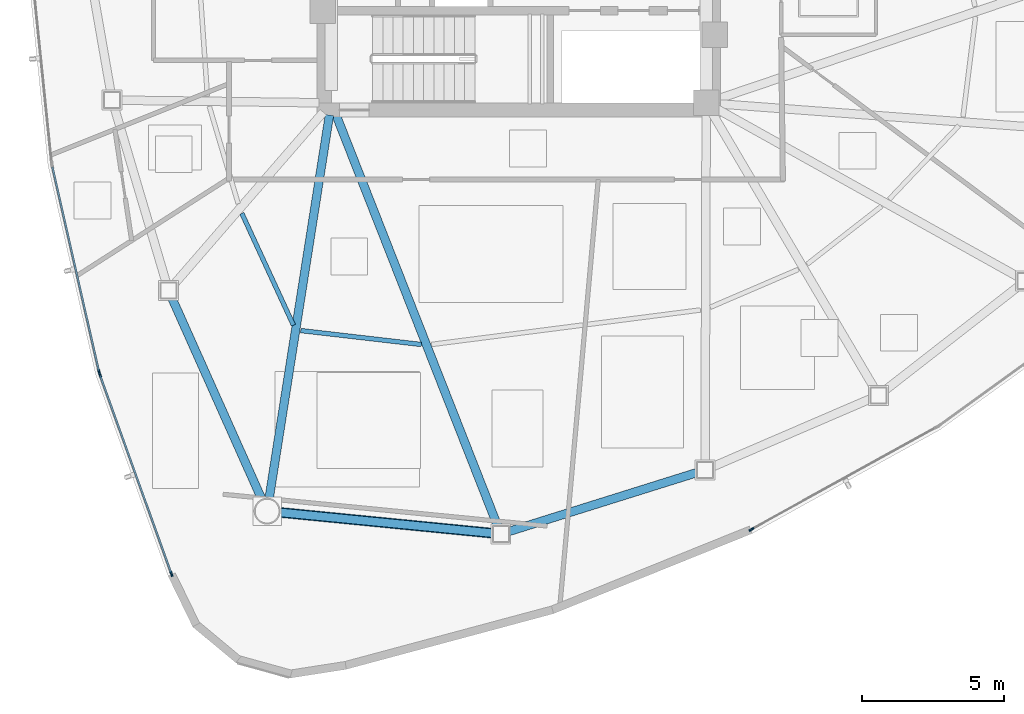
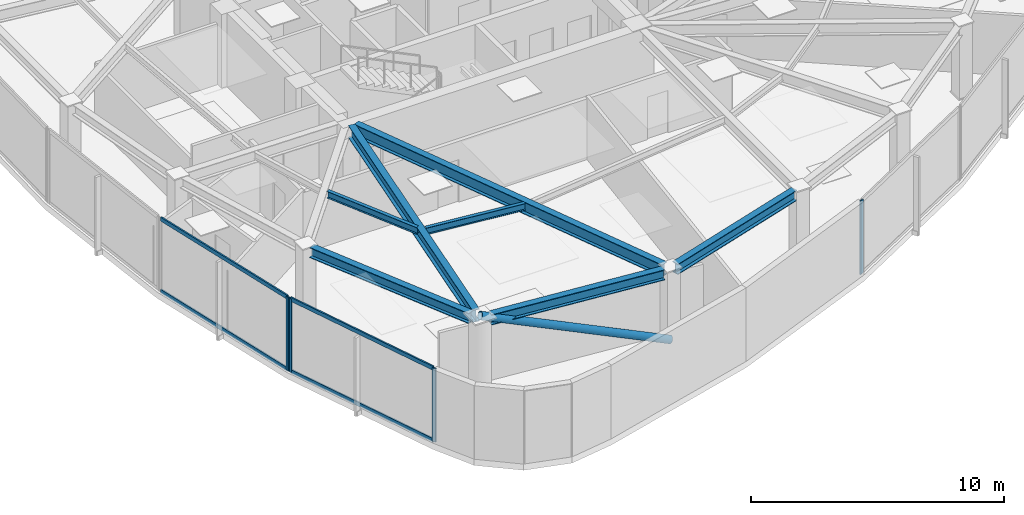
# One storey, part 2 of 17: 9 members, 7 beams, 3 elements without a shape of their own.
"""IFC4 building model written with IfcOpenShell, lengths in metres."""

from ifc_helpers import new_model, si_unit, direction, frame, origin, origin_2d, place, context, subcontext, project, spatial, hollow_rectangle, hollow_circle, i_section, extrude, source, transform, mapped, material, layer, layer_set, material_profile, profile_set, type_object, type_shapes, element, aggregate, save


model = new_model("IFC4")

# Units and contexts
model_context = context("Model", 3, precision=1e-05, world=origin(), true_north=direction((0.0, 1.0)))
body_context = subcontext(model_context, "Body", "Model", "MODEL_VIEW")
ifc_project = project(units=[si_unit("LENGTHUNIT", "METRE"), si_unit("AREAUNIT", "SQUARE_METRE"), si_unit("VOLUMEUNIT", "CUBIC_METRE"), si_unit("PLANEANGLEUNIT", "RADIAN"), si_unit("MASSUNIT", "GRAM", prefix="KILO")], contexts=[model_context])

# Site, building, storey
site_placement = place(None, origin())
site = spatial("IfcSite", under=ifc_project, at=site_placement, CompositionType="ELEMENT")
building_placement = place(site_placement, origin())
building = spatial("IfcBuilding", under=site, at=building_placement, Name="Tavelor Broadcast Tower", CompositionType="ELEMENT")
storey_placement = place(building_placement, frame((0.0, 0.0, 169.5)))
storey = spatial("IfcBuildingStorey", under=building, at=storey_placement, Name="L40", CompositionType="ELEMENT", Elevation=169.5)

# Beams
ifc_material_1 = material(Name="Steel S355", Category="steel")
ifc_material_profile_1 = material_profile(ifc_material_1, i_section(OverallWidth=0.159912109375, OverallDepth=0.330078125, WebThickness=0.007568359375, FlangeThickness=0.011474609375, at=origin_2d()), Name="IPE 330")
ifc_profile_set_1 = profile_set([ifc_material_profile_1], Name="Steel S355")
beam_type_1 = type_object("IfcBeamType", Name="Composite Floor Joist T4 IPE 330", PredefinedType="JOIST", material=ifc_profile_set_1)
beam_1_placement = place(storey_placement, frame((40.2470703125, 34.91259765625, 3.385009765625), z_axis=(0.418865688231, -0.908048200936, 0.0), x_axis=(0.908048200936, 0.418865688231, 0.0)))
element("IfcBeam", 1, at=beam_1_placement, inside=storey, type_object=beam_type_1, Name="L40 Secondary Composite Floor Joist 06", PredefinedType="JOIST", context=body_context, shape_type="SweptSolid", body=[
    extrude(i_section(OverallWidth=0.159912109375, OverallDepth=0.330078125, WebThickness=0.007568359375, FlangeThickness=0.011474609375, at=origin_2d()), origin(), (0.0, 0.0, 1.0), 4.343505859375),
])
beam_2_placement = place(storey_placement, frame((42.322021484375, 30.783447265625, 3.385009765625), z_axis=(0.99339343168, -0.114758397927, 0.0), x_axis=(0.114758397927, 0.99339343168, 0.0)))
element("IfcBeam", 2, at=beam_2_placement, inside=storey, type_object=beam_type_1, Name="L40 Secondary Composite Floor Joist 07", PredefinedType="JOIST", context=body_context, shape_type="SweptSolid", body=[
    extrude(i_section(OverallWidth=0.159912109375, OverallDepth=0.330078125, WebThickness=0.007568359375, FlangeThickness=0.011474609375, at=origin_2d()), origin(), (0.0, 0.0, 1.0), 4.2783203125),
])
ifc_material_profile_2 = material_profile(ifc_material_1, i_section(OverallWidth=0.300048828125, OverallDepth=0.5, WebThickness=0.014404296875, FlangeThickness=0.028076171875, at=origin_2d()), Name="HEB 500")
ifc_profile_set_2 = profile_set([ifc_material_profile_2], Name="Steel S355")
beam_type_2 = type_object("IfcBeamType", Name="Perimeter Spandrel Beam T4 HEB 500", PredefinedType="SPANDREL", material=ifc_profile_set_2)
beam_3_placement = place(storey_placement, frame((37.78564453125, 31.927490234375, 3.300048828125), z_axis=(0.407969002466, -0.912995779304, 0.0), x_axis=(0.912995779304, 0.407969002466, 0.0)))
element("IfcBeam", 3, at=beam_3_placement, inside=storey, type_object=beam_type_2, Name="L40 Framed-Tube Ring Spandrel 06", PredefinedType="SPANDREL", context=body_context, shape_type="SweptSolid", body=[
    extrude(i_section(OverallWidth=0.300048828125, OverallDepth=0.5, WebThickness=0.014404296875, FlangeThickness=0.028076171875, at=origin_2d()), origin(), (0.0, 0.0, 1.0), 7.7802734375),
])
beam_4_placement = place(storey_placement, frame((41.5751953125, 24.381103515625, 3.300048828125), z_axis=(0.995249339376, -0.097358884918, 0.0), x_axis=(0.097358884918, 0.995249339376, 0.0)))
element("IfcBeam", 4, at=beam_4_placement, inside=storey, type_object=beam_type_2, Name="L40 Framed-Tube Ring Spandrel 07", PredefinedType="SPANDREL", context=body_context, shape_type="SweptSolid", body=[
    extrude(i_section(OverallWidth=0.300048828125, OverallDepth=0.5, WebThickness=0.014404296875, FlangeThickness=0.028076171875, at=origin_2d()), origin(), (0.0, 0.0, 1.0), 7.54052734375),
])
beam_5_placement = place(storey_placement, frame((49.641357421875, 23.705078125, 3.300048828125), z_axis=(0.954273247332, 0.298935727918, 0.0), x_axis=(-0.298935727918, 0.954273247332, 0.0)))
element("IfcBeam", 5, at=beam_5_placement, inside=storey, type_object=beam_type_2, Name="L40 Framed-Tube Ring Spandrel 08", PredefinedType="SPANDREL", context=body_context, shape_type="SweptSolid", body=[
    extrude(i_section(OverallWidth=0.300048828125, OverallDepth=0.5, WebThickness=0.014404296875, FlangeThickness=0.028076171875, at=origin_2d()), origin(), (0.0, 0.0, 1.0), 6.963134765625),
])

# Member
ifc_material_profile_3 = material_profile(ifc_material_1, hollow_circle(Radius=0.177734375, WallThickness=0.01611328125, at=origin_2d()), Name="CHS 355.6x16")
ifc_profile_set_3 = profile_set([ifc_material_profile_3], Name="Steel S355")
member_type_1 = type_object("IfcMemberType", Name="Perimeter Tube Brace T4 CHS 355.6x16", PredefinedType="BRACE", material=ifc_profile_set_3)
member_1_placement = place(storey_placement, frame((49.366455078125, 23.618896484375, 0.0), z_axis=(-0.914496364203, 0.089466025126, 0.394578547577), x_axis=(-0.097366094377, -0.995248634094, 0.0)))
element("IfcMember", 6, at=member_1_placement, inside=storey, type_object=member_type_1, Name="L40 Corner Tube Diagonal Brace 2", PredefinedType="BRACE", context=body_context, shape_type="SweptSolid", body=[
    extrude(hollow_circle(Radius=0.177734375, WallThickness=0.01611328125, at=origin_2d()), origin(), (0.0, 0.0, 1.0), 8.9970703125),
])

# Beams
ifc_material_profile_4 = material_profile(ifc_material_1, i_section(OverallWidth=0.300048828125, OverallDepth=0.590087890625, WebThickness=0.012939453125, FlangeThickness=0.02490234375, at=origin_2d()), Name="HEA 600")
ifc_profile_set_4 = profile_set([ifc_material_profile_4], Name="Steel S355")
beam_type_3 = type_object("IfcBeamType", Name="Radial Floor Girder T4 HEA 600", PredefinedType="BEAM", material=ifc_profile_set_4)
beam_6_placement = place(storey_placement, frame((43.3330078125, 38.373291015625, 3.2548828125), z_axis=(-0.15539903111, -0.987851780952, 0.0), x_axis=(0.987851780952, -0.15539903111, 0.0)))
element("IfcBeam", 7, at=beam_6_placement, inside=storey, type_object=beam_type_3, Name="L40 Radial Primary Floor Girder 07", PredefinedType="BEAM", context=body_context, shape_type="SweptSolid", body=[
    extrude(i_section(OverallWidth=0.300048828125, OverallDepth=0.590087890625, WebThickness=0.012939453125, FlangeThickness=0.02490234375, at=origin_2d()), origin(), (0.0, 0.0, 1.0), 13.682373046875),
])
beam_7_placement = place(storey_placement, frame((43.55810546875, 38.39794921875, 3.2548828125), z_axis=(0.365784627572, -0.930699525213, 0.0), x_axis=(0.930699525213, 0.365784627572, 0.0)))
element("IfcBeam", 8, at=beam_7_placement, inside=storey, type_object=beam_type_3, Name="L40 Radial Primary Floor Girder 08", PredefinedType="BEAM", context=body_context, shape_type="SweptSolid", body=[
    extrude(i_section(OverallWidth=0.300048828125, OverallDepth=0.590087890625, WebThickness=0.012939453125, FlangeThickness=0.02490234375, at=origin_2d()), origin(), (0.0, 0.0, 1.0), 15.591552734375),
])

# Curtain wall, member
ifc_material_2 = material(Name="Architectural Anodized Aluminium", Category="aluminium")
ifc_layer = layer(ifc_material_2, 0.18994140625)
ifc_layer_set = layer_set([ifc_layer], Name="Architectural Anodized Aluminium")
curtain_wall_type = type_object("IfcCurtainWallType", Name="Tower Mid-Zone Acoustic Curtain Wall CW03", PredefinedType="NOTDEFINED", material=ifc_layer_set)
curtain_wall_1_placement = place(storey_placement, origin())
curtain_wall_1 = element("IfcCurtainWall", 9, at=curtain_wall_1_placement, inside=storey, type_object=curtain_wall_type, Name="L40 Curtain Wall CW03 Run 423", PredefinedType="NOTDEFINED")
ifc_material_profile_5 = material_profile(ifc_material_2, hollow_rectangle(XDim=0.068115234375, YDim=0.18994140625, WallThickness=0.02197265625, at=origin_2d()), Name="RHS 68x190x22")
ifc_profile_set_5 = profile_set([ifc_material_profile_5], Name="Architectural Anodized Aluminium")
member_type_2 = type_object("IfcMemberType", Name="CW03 Extruded Aluminium Mullion 68x190", PredefinedType="MULLION", material=ifc_profile_set_5)
shared_shape_1 = source(origin(), body_context, "Body", "SweptSolid", [
    extrude(hollow_rectangle(XDim=0.068115234375, YDim=0.18994140625, WallThickness=0.02197265625, at=origin_2d()), origin(), (0.0, 0.0, 1.0), 3.550048828125),
])
type_shapes(member_type_2, [shared_shape_1])
member_2_placement = place(storey_placement, frame((35.2197265625, 29.326416015625, 0.0), z_axis=(0.0, 0.0, 1.0), x_axis=(0.97504826859, 0.221992959165, 0.0)))
member_2 = element("IfcMember", 10, at=member_2_placement, type_object=member_type_2, Name="CW03 mullion 2", PredefinedType="MULLION", context=body_context, shape_type="MappedRepresentation", body=[
    mapped(shared_shape_1, transform((0.0, 0.0, 0.0), scale=1.0)),
])

# Curtain wall, members
curtain_wall_2_placement = place(storey_placement, origin())
curtain_wall_2 = element("IfcCurtainWall", 11, at=curtain_wall_2_placement, inside=storey, type_object=curtain_wall_type, Name="L40 Curtain Wall CW03 Run 424", PredefinedType="NOTDEFINED")
member_3_placement = place(storey_placement, frame((35.247314453125, 29.232666015625, 0.0), z_axis=(0.0, 0.0, 1.0), x_axis=(0.941022029171, 0.338345297906, 0.0)))
member_3 = element("IfcMember", 12, at=member_3_placement, type_object=member_type_2, Name="CW03 mullion 1", PredefinedType="MULLION", context=body_context, shape_type="MappedRepresentation", body=[
    mapped(shared_shape_1, transform((0.0, 0.0, 0.0), scale=1.0)),
])
member_4_placement = place(storey_placement, frame((37.77001953125, 22.216064453125, 0.0), z_axis=(0.0, 0.0, 1.0), x_axis=(0.941022029171, 0.338345297906, 0.0)))
member_4 = element("IfcMember", 13, at=member_4_placement, type_object=member_type_2, Name="CW03 mullion 2", PredefinedType="MULLION", context=body_context, shape_type="MappedRepresentation", body=[
    mapped(shared_shape_1, transform((0.0, 0.0, 0.0), scale=1.0)),
])

# Curtain wall, member
curtain_wall_3_placement = place(storey_placement, origin())
curtain_wall_3 = element("IfcCurtainWall", 14, at=curtain_wall_3_placement, inside=storey, type_object=curtain_wall_type, Name="L40 Curtain Wall CW03 Run 425", PredefinedType="NOTDEFINED")
member_5_placement = place(storey_placement, frame((58.194580078125, 23.78076171875, 0.0), z_axis=(0.0, 0.0, 1.0), x_axis=(-0.483668962455, 0.875251012429, 0.0)))
member_5 = element("IfcMember", 15, at=member_5_placement, type_object=member_type_2, Name="CW03 mullion 1", PredefinedType="MULLION", context=body_context, shape_type="MappedRepresentation", body=[
    mapped(shared_shape_1, transform((0.0, 0.0, 0.0), scale=1.0)),
])
aggregate(curtain_wall_3, [member_5])

# Member
ifc_material_profile_6 = material_profile(ifc_material_2, hollow_rectangle(XDim=0.068115234375, YDim=0.18994140625, WallThickness=0.02197265625, at=origin_2d()), Name="RHS 68x190x22")
ifc_profile_set_6 = profile_set([ifc_material_profile_6], Name="Architectural Anodized Aluminium")
member_type_3 = type_object("IfcMemberType", Name="CW03 Extruded Aluminium Transom 68x190", PredefinedType="USERDEFINED", material=ifc_profile_set_6)
shared_shape_2 = source(origin(), body_context, "Body", "SweptSolid", [
    extrude(hollow_rectangle(XDim=0.068115234375, YDim=0.18994140625, WallThickness=0.02197265625, at=origin_2d()), origin(), (0.0, 0.0, 1.0), 7.372314453125),
])
member_6_placement = place(storey_placement, frame((33.57568359375, 36.548095703125, 0.033935546875), z_axis=(0.221973193431, -0.97505276852, 0.0), x_axis=(0.97505276852, 0.221973193431, 0.0)))
member_6 = element("IfcMember", 16, at=member_6_placement, type_object=member_type_3, Name="CW03 transom 1.1", ObjectType="TRANSOM", PredefinedType="USERDEFINED", context=body_context, shape_type="MappedRepresentation", body=[
    mapped(shared_shape_2, transform((0.0, 0.0, 0.0), scale=1.0)),
])

member_7_placement = place(storey_placement, frame((33.57568359375, 36.548095703125, 3.51611328125), z_axis=(0.221973193431, -0.97505276852, 0.0), x_axis=(0.97505276852, 0.221973193431, 0.0)))
member_7 = element("IfcMember", 17, at=member_7_placement, type_object=member_type_3, Name="CW03 transom 1.2", ObjectType="TRANSOM", PredefinedType="USERDEFINED", context=body_context, shape_type="MappedRepresentation", body=[
    mapped(shared_shape_2, transform((0.0, 0.0, 0.0), scale=1.0)),
])

aggregate(curtain_wall_1, [member_2, member_6, member_7])

shared_shape_3 = source(origin(), body_context, "Body", "SweptSolid", [
    extrude(hollow_rectangle(XDim=0.068115234375, YDim=0.18994140625, WallThickness=0.02197265625, at=origin_2d()), origin(), (0.0, 0.0, 1.0), 7.388427734375),
])
type_shapes(member_type_3, [shared_shape_2, shared_shape_3])
member_8_placement = place(storey_placement, frame((35.2587890625, 29.20068359375, 0.033935546875), z_axis=(0.338336814005, -0.941025079522, 0.0), x_axis=(0.941025079522, 0.338336814005, 0.0)))
member_8 = element("IfcMember", 18, at=member_8_placement, type_object=member_type_3, Name="CW03 transom 1.1", ObjectType="TRANSOM", PredefinedType="USERDEFINED", context=body_context, shape_type="MappedRepresentation", body=[
    mapped(shared_shape_3, transform((0.0, 0.0, 0.0), scale=1.0)),
])

member_9_placement = place(storey_placement, frame((35.2587890625, 29.20068359375, 3.51611328125), z_axis=(0.338336814005, -0.941025079522, 0.0), x_axis=(0.941025079522, 0.338336814005, 0.0)))
member_9 = element("IfcMember", 19, at=member_9_placement, type_object=member_type_3, Name="CW03 transom 1.2", ObjectType="TRANSOM", PredefinedType="USERDEFINED", context=body_context, shape_type="MappedRepresentation", body=[
    mapped(shared_shape_3, transform((0.0, 0.0, 0.0), scale=1.0)),
])

aggregate(curtain_wall_2, [member_3, member_4, member_8, member_9])

save(model, "model.ifc")
